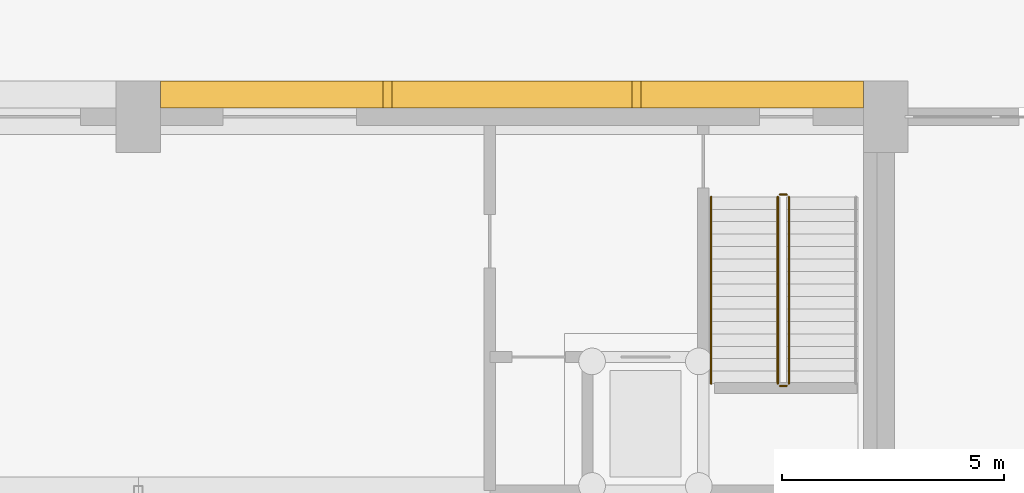
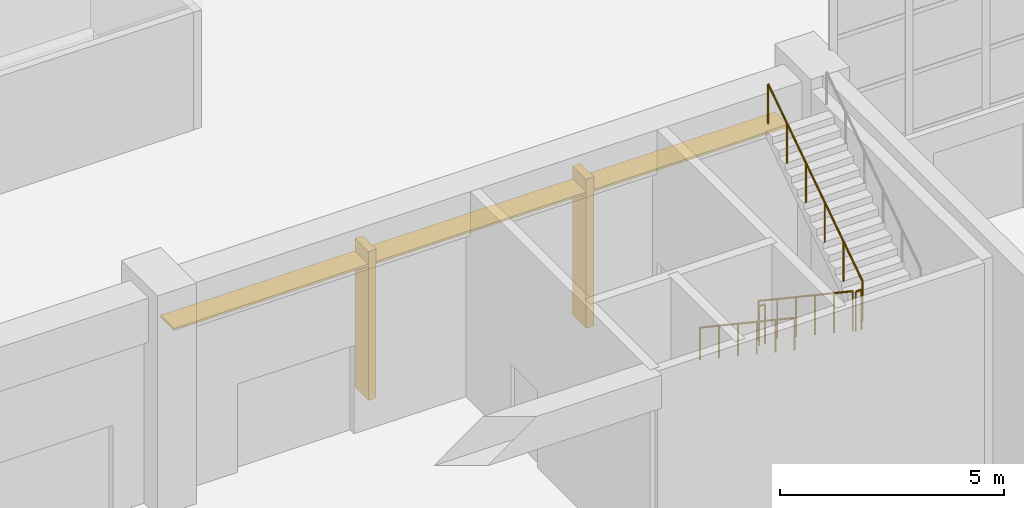
# One storey, part 200 of 210: 5 railings, 3 shading devices, 2 coverings.
"""IFC4 building model written with IfcOpenShell, lengths in metres."""

from ifc_helpers import new_model, si_unit, direction, frame, origin, origin_2d, place, context, subcontext, project, spatial, rectangle, circle, extrude, material, layer, layer_set, type_object, element, save


model = new_model("IFC4")

# Units and contexts
model_context = context("Model", 3, precision=1e-05, world=origin(), true_north=direction((0.0, 1.0)))
body_context = subcontext(model_context, "Body", "Model", "MODEL_VIEW")
ifc_project = project(units=[si_unit("LENGTHUNIT", "METRE"), si_unit("AREAUNIT", "SQUARE_METRE"), si_unit("VOLUMEUNIT", "CUBIC_METRE"), si_unit("PLANEANGLEUNIT", "RADIAN"), si_unit("MASSUNIT", "GRAM", prefix="KILO")], contexts=[model_context])

# Site, building, storey
site_placement = place(None, origin())
site = spatial("IfcSite", under=ifc_project, at=site_placement, CompositionType="ELEMENT")
building_placement = place(site_placement, origin())
building = spatial("IfcBuilding", under=site, at=building_placement, Name="Rain Tree Exposition and Congress Centre", CompositionType="ELEMENT")
storey_placement = place(building_placement, origin())
storey = spatial("IfcBuildingStorey", under=building, at=storey_placement, Name="L00", CompositionType="ELEMENT", Elevation=0.0)

# Coverings
ifc_material_1 = material(Name="Precast concrete C50/60", Category="concrete")
ifc_layer_1 = layer(ifc_material_1, 0.199951171875)
ifc_layer_set_1 = layer_set([ifc_layer_1], Name="Precast concrete C50/60")
covering_type = type_object("IfcCoveringType", Name="North face fin 200x600", PredefinedType="CLADDING", material=ifc_layer_set_1)
for number, where, z_axis, x_axis, name in (
    (1, (114.800048828125, 202.10009765625, 0.4501953125), (0.0, 0.0, 1.0), (1.0, 0.0, 0.0), "Facade fin N7.1"),
    (2, (120.39990234375, 202.10009765625, 0.4501953125), (0.0, 0.0, 1.0), (1.0, 0.0, 0.0), "Facade fin N7.2"),
):
    element("IfcCovering", number, at=place(storey_placement, frame(where, z_axis=z_axis, x_axis=x_axis)), inside=storey, type_object=covering_type, Name=name, PredefinedType="CLADDING", context=body_context, shape_type="SweptSolid", body=[
        extrude(rectangle(XDim=0.199951171875, YDim=0.60009765625, at=origin_2d()), origin(), (0.0, 0.0, 1.0), 4.050048828125),
    ])

# Railings
ifc_material_2 = material(Name="Steel S355J2H", Category="steel")
railing_type_1 = type_object("IfcRailingType", Name="Stair guard 1100", PredefinedType="GUARDRAIL", material=ifc_material_2)
railing_1_placement = place(storey_placement, frame((123.574951171875, 199.800048828125, 0.1875)))
element("IfcRailing", 3, at=railing_1_placement, inside=storey, type_object=railing_type_1, Name="L00 ST-H4 stair guard 1", PredefinedType="GUARDRAIL", context=body_context, shape_type="SweptSolid", body=[
    extrude(circle(Radius=0.02392578125, at=origin_2d()), frame((0.0, 0.0, 1.076171875), z_axis=(0.0, -0.830904186295, 0.556415522067), x_axis=(1.0, 0.0, 0.0)), (0.0, 0.0, 1.0), 5.0546875),
    extrude(circle(Radius=0.02099609375, at=origin_2d()), origin(), (0.0, 0.0, 1.0), 1.052001953125),
    extrude(circle(Radius=0.02099609375, at=origin_2d()), frame((0.0, -0.840087890625, 0.5625)), (0.0, 0.0, 1.0), 1.052001953125),
    extrude(circle(Radius=0.02099609375, at=origin_2d()), frame((0.0, -1.679931640625, 1.125)), (0.0, 0.0, 1.0), 1.052001953125),
    extrude(circle(Radius=0.02099609375, at=origin_2d()), frame((0.0, -2.52001953125, 1.6875)), (0.0, 0.0, 1.0), 1.052001953125),
    extrude(circle(Radius=0.02099609375, at=origin_2d()), frame((0.0, -3.35986328125, 2.25)), (0.0, 0.0, 1.0), 1.052001953125),
    extrude(circle(Radius=0.02099609375, at=origin_2d()), frame((0.0, -4.199951171875, 2.8125)), (0.0, 0.0, 1.0), 1.052001953125),
])
railing_2_placement = place(storey_placement, frame((123.625, 195.550048828125, 3.0)))
element("IfcRailing", 4, at=railing_2_placement, inside=storey, type_object=railing_type_1, Name="L00 ST-H4 stair guard 2", PredefinedType="GUARDRAIL", context=body_context, shape_type="SweptSolid", body=[
    extrude(circle(Radius=0.02392578125, at=origin_2d()), frame((0.0, 0.0, 1.076171875), z_axis=(1.0, 0.0, 0.0), x_axis=(0.0, 1.0, 0.0)), (0.0, 0.0, 1.0), 0.14990234375),
    extrude(circle(Radius=0.02099609375, at=origin_2d()), origin(), (0.0, 0.0, 1.0), 1.052001953125),
    extrude(circle(Radius=0.02099609375, at=origin_2d()), frame((0.14990234375, 0.0, 0.0)), (0.0, 0.0, 1.0), 1.052001953125),
])
railing_3_placement = place(storey_placement, frame((123.824951171875, 195.60009765625, 3.1875)))
element("IfcRailing", 5, at=railing_3_placement, inside=storey, type_object=railing_type_1, Name="L00 ST-H4 stair guard 3", PredefinedType="GUARDRAIL", context=body_context, shape_type="SweptSolid", body=[
    extrude(circle(Radius=0.02392578125, at=origin_2d()), frame((0.0, 0.0, 1.076171875), z_axis=(0.0, 0.830904186295, 0.556415522067), x_axis=(-1.0, 0.0, 0.0)), (0.0, 0.0, 1.0), 5.0546875),
    extrude(circle(Radius=0.02099609375, at=origin_2d()), origin(), (0.0, 0.0, 1.0), 1.052001953125),
    extrude(circle(Radius=0.02099609375, at=origin_2d()), frame((0.0, 0.840087890625, 0.5625)), (0.0, 0.0, 1.0), 1.052001953125),
    extrude(circle(Radius=0.02099609375, at=origin_2d()), frame((0.0, 1.679931640625, 1.125)), (0.0, 0.0, 1.0), 1.052001953125),
    extrude(circle(Radius=0.02099609375, at=origin_2d()), frame((0.0, 2.52001953125, 1.6875)), (0.0, 0.0, 1.0), 1.052001953125),
    extrude(circle(Radius=0.02099609375, at=origin_2d()), frame((0.0, 3.35986328125, 2.25)), (0.0, 0.0, 1.0), 1.052001953125),
    extrude(circle(Radius=0.02099609375, at=origin_2d()), frame((0.0, 4.199951171875, 2.8125)), (0.0, 0.0, 1.0), 1.052001953125),
])
railing_4_placement = place(storey_placement, frame((123.625, 199.85009765625, 0.0)))
element("IfcRailing", 6, at=railing_4_placement, inside=storey, type_object=railing_type_1, Name="L00 ST-H4 stair guard 4", PredefinedType="GUARDRAIL", context=body_context, shape_type="SweptSolid", body=[
    extrude(circle(Radius=0.02392578125, at=origin_2d()), frame((0.0, 0.0, 1.076171875), z_axis=(1.0, 0.0, 0.0), x_axis=(0.0, 1.0, 0.0)), (0.0, 0.0, 1.0), 0.14990234375),
    extrude(circle(Radius=0.02099609375, at=origin_2d()), origin(), (0.0, 0.0, 1.0), 1.052001953125),
    extrude(circle(Radius=0.02099609375, at=origin_2d()), frame((0.14990234375, 0.0, 0.0)), (0.0, 0.0, 1.0), 1.052001953125),
])
ifc_material_3 = material(Name="Steel S355J2H", Category="steel")
railing_type_2 = type_object("IfcRailingType", Name="Stair handrail 900", PredefinedType="HANDRAIL", material=ifc_material_3)
railing_5_placement = place(storey_placement, frame((122.074951171875, 199.800048828125, 0.1875)))
element("IfcRailing", 7, at=railing_5_placement, inside=storey, type_object=railing_type_2, Name="L00 ST-H4 stair handrail 1", PredefinedType="HANDRAIL", context=body_context, shape_type="SweptSolid", body=[
    extrude(circle(Radius=0.02392578125, at=origin_2d()), frame((0.0, 0.0, 0.8759765625), z_axis=(0.0, -0.830904186295, 0.556415522067), x_axis=(1.0, 0.0, 0.0)), (0.0, 0.0, 1.0), 5.0546875),
    extrude(circle(Radius=0.02099609375, at=origin_2d()), origin(), (0.0, 0.0, 1.0), 0.851806640625),
    extrude(circle(Radius=0.02099609375, at=origin_2d()), frame((0.0, -0.840087890625, 0.5625)), (0.0, 0.0, 1.0), 0.851806640625),
    extrude(circle(Radius=0.02099609375, at=origin_2d()), frame((0.0, -1.679931640625, 1.125)), (0.0, 0.0, 1.0), 0.851806640625),
    extrude(circle(Radius=0.02099609375, at=origin_2d()), frame((0.0, -2.52001953125, 1.6875)), (0.0, 0.0, 1.0), 0.851806640625),
    extrude(circle(Radius=0.02099609375, at=origin_2d()), frame((0.0, -3.35986328125, 2.25)), (0.0, 0.0, 1.0), 0.851806640625),
    extrude(circle(Radius=0.02099609375, at=origin_2d()), frame((0.0, -4.199951171875, 2.8125)), (0.0, 0.0, 1.0), 0.851806640625),
])

# Shading devices
ifc_material_4 = material(Name="Aluminium", Category="aluminium")
ifc_layer_2 = layer(ifc_material_4, 0.06005859375)
ifc_layer_set_2 = layer_set([ifc_layer_2], Name="Aluminium")
shading_device_type = type_object("IfcShadingDeviceType", Name="Sun blade 60x600", PredefinedType="JALOUSIE", material=ifc_layer_set_2)
shading_device_1_placement = place(storey_placement, frame((112.199951171875, 202.10009765625, 4.099853515625), z_axis=(0.0, 0.0, 1.0), x_axis=(1.0, 0.0, 0.0)))
element("IfcShadingDevice", 8, at=shading_device_1_placement, inside=storey, type_object=shading_device_type, Name="Sun blade N7.1.1", PredefinedType="JALOUSIE", context=body_context, shape_type="SweptSolid", body=[
    extrude(rectangle(XDim=5.0, YDim=0.60009765625, at=origin_2d()), origin(), (0.0, 0.0, 1.0), 0.06005859375),
])
shading_device_2_placement = place(storey_placement, frame((117.60009765625, 202.10009765625, 4.099853515625), z_axis=(0.0, 0.0, 1.0), x_axis=(1.0, 0.0, 0.0)))
element("IfcShadingDevice", 9, at=shading_device_2_placement, inside=storey, type_object=shading_device_type, Name="Sun blade N7.2.1", PredefinedType="JALOUSIE", context=body_context, shape_type="SweptSolid", body=[
    extrude(rectangle(XDim=5.39990234375, YDim=0.60009765625, at=origin_2d()), origin(), (0.0, 0.0, 1.0), 0.06005859375),
])
shading_device_3_placement = place(storey_placement, frame((123.0, 202.10009765625, 4.099853515625), z_axis=(0.0, 0.0, 1.0), x_axis=(1.0, 0.0, 0.0)))
element("IfcShadingDevice", 10, at=shading_device_3_placement, inside=storey, type_object=shading_device_type, Name="Sun blade N7.3.1", PredefinedType="JALOUSIE", context=body_context, shape_type="SweptSolid", body=[
    extrude(rectangle(XDim=5.0, YDim=0.60009765625, at=origin_2d()), origin(), (0.0, 0.0, 1.0), 0.06005859375),
])

save(model, "model.ifc")
